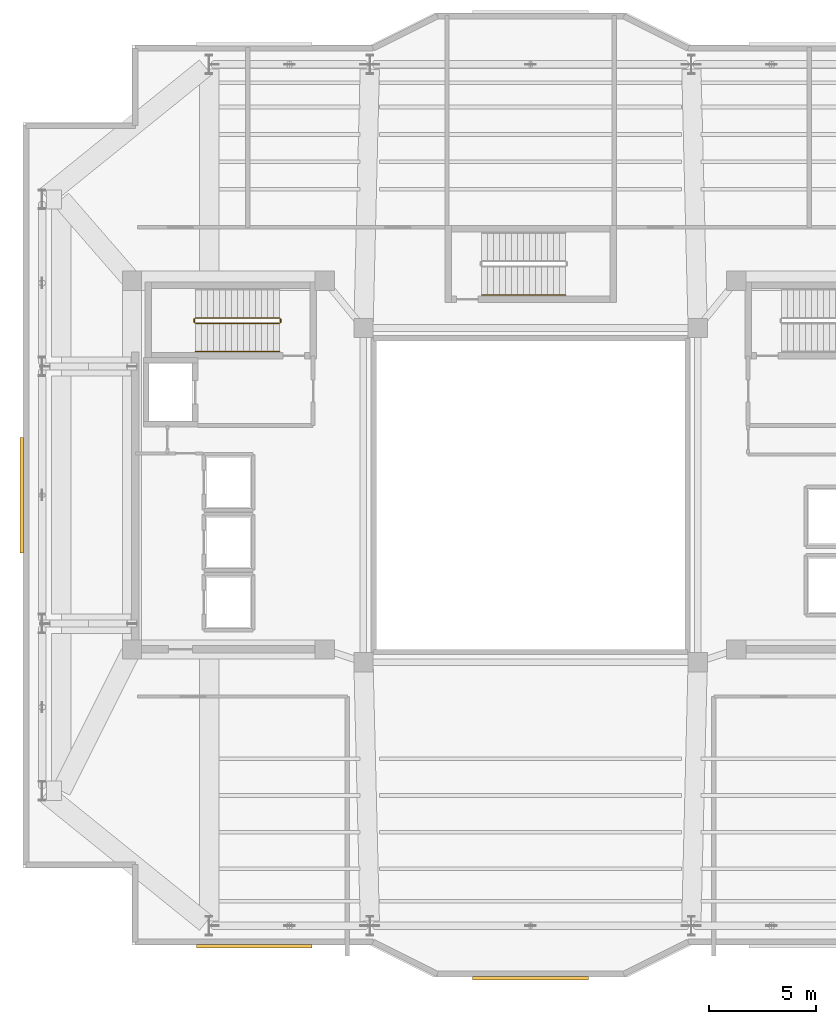
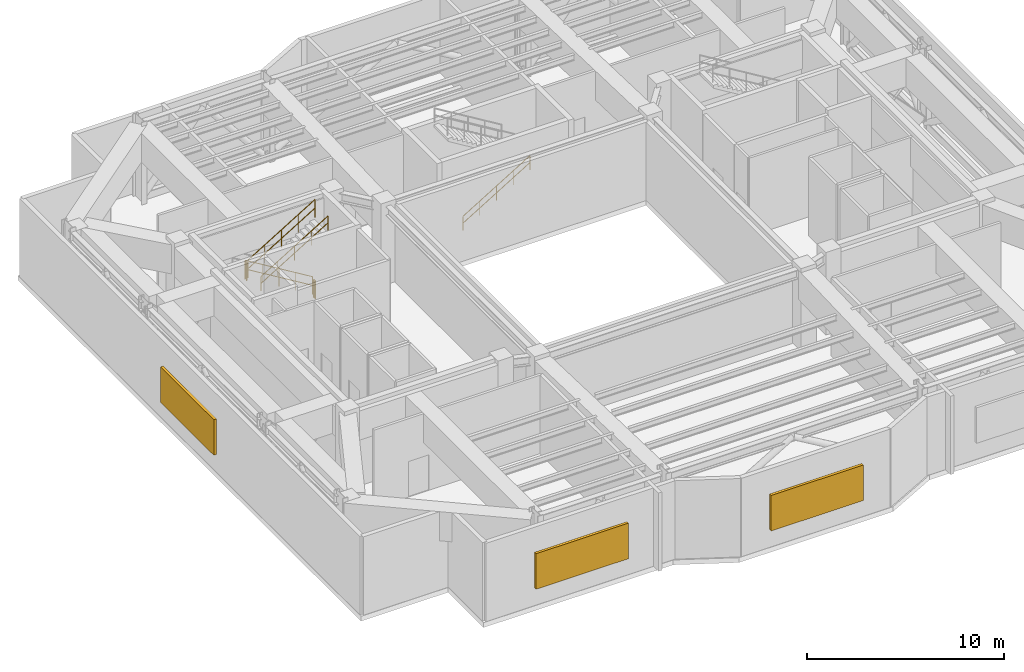
# One storey, part 11 of 13: 6 railings, 3 shading devices.
"""IFC4 building model written with IfcOpenShell, lengths in metres."""

from ifc_helpers import new_model, si_unit, direction, frame, origin, origin_2d, place, context, subcontext, project, spatial, rectangle, circle, extrude, material, layer, layer_set, type_object, element, save


model = new_model("IFC4")

# Units and contexts
model_context = context("Model", 3, precision=1e-05, world=origin(), true_north=direction((0.0, 1.0)))
body_context = subcontext(model_context, "Body", "Model", "MODEL_VIEW")
ifc_project = project(units=[si_unit("LENGTHUNIT", "METRE"), si_unit("AREAUNIT", "SQUARE_METRE"), si_unit("VOLUMEUNIT", "CUBIC_METRE"), si_unit("PLANEANGLEUNIT", "RADIAN"), si_unit("MASSUNIT", "GRAM", prefix="KILO")], contexts=[model_context])

# Site, building, storey
site_placement = place(None, origin())
site = spatial("IfcSite", under=ifc_project, at=site_placement, CompositionType="ELEMENT")
building_placement = place(site_placement, origin())
building = spatial("IfcBuilding", under=site, at=building_placement, Name="Tarnavaz Court Tower", CompositionType="ELEMENT")
storey_placement = place(building_placement, frame((0.0, 0.0, 236.39990234375)))
storey = spatial("IfcBuildingStorey", under=building, at=storey_placement, Name="L64", CompositionType="ELEMENT", Elevation=236.39990234375)

# Railings
ifc_material_1 = material(Name="Brushed Stainless Steel", Category="steel")
railing_type_1 = type_object("IfcRailingType", Name="RL-HANDRAIL-900", PredefinedType="HANDRAIL", material=ifc_material_1)
for number, where, name in (
    (1, (-15.639892578125, 6.699951171875, 2.72021484375), "L64 ST-W1 stair handrail 2"),
    (2, (-2.280029296875, 9.35009765625, 0.170166015625), "L64 ST-N1 stair handrail 1"),
):
    element("IfcRailing", number, at=place(storey_placement, frame(where)), inside=storey, type_object=railing_type_1, Name=name, PredefinedType="HANDRAIL", context=body_context, shape_type="SweptSolid", body=[
        extrude(circle(Radius=0.02392578125, at=origin_2d()), frame((0.0, 0.0, 0.8759765625), z_axis=(0.854794262968, 0.0, 0.518967020143), x_axis=(0.0, 1.0, 0.0)), (0.0, 0.0, 1.0), 4.585693359375),
        extrude(circle(Radius=0.02392578125, at=origin_2d()), frame((0.0, 0.0, 0.449951171875), z_axis=(0.854794262968, 0.0, 0.518967020143), x_axis=(0.0, 1.0, 0.0)), (0.0, 0.0, 1.0), 4.585693359375),
        extrude(circle(Radius=0.02099609375, at=origin_2d()), origin(), (0.0, 0.0, 1.0), 0.851806640625),
        extrude(circle(Radius=0.02099609375, at=origin_2d()), frame((0.97998046875, 0.0, 0.594970703125)), (0.0, 0.0, 1.0), 0.851806640625),
        extrude(circle(Radius=0.02099609375, at=origin_2d()), frame((1.9599609375, 0.0, 1.18994140625)), (0.0, 0.0, 1.0), 0.851806640625),
        extrude(circle(Radius=0.02099609375, at=origin_2d()), frame((2.93994140625, 0.0, 1.784912109375)), (0.0, 0.0, 1.0), 0.851806640625),
        extrude(circle(Radius=0.02099609375, at=origin_2d()), frame((3.919921875, 0.0, 2.3798828125)), (0.0, 0.0, 1.0), 0.851806640625),
    ])
ifc_material_2 = material(Name="Galvanized Painted Tubular Steel", Category="steel")
railing_type_2 = type_object("IfcRailingType", Name="RL-STGUARD-1120", PredefinedType="GUARDRAIL", material=ifc_material_2)
railing_1_placement = place(storey_placement, frame((-11.719970703125, 8.27001953125, 0.170166015625)))
element("IfcRailing", 3, at=railing_1_placement, inside=storey, type_object=railing_type_2, Name="L64 ST-W1 stair guard 1", PredefinedType="GUARDRAIL", context=body_context, shape_type="SweptSolid", body=[
    extrude(circle(Radius=0.02392578125, at=origin_2d()), frame((0.0, 0.0, 1.09619140625), z_axis=(-0.854794262968, 0.0, 0.518967020143), x_axis=(0.0, -1.0, 0.0)), (0.0, 0.0, 1.0), 4.585693359375),
    extrude(circle(Radius=0.02392578125, at=origin_2d()), frame((0.0, 0.0, 0.56005859375), z_axis=(-0.854794262968, 0.0, 0.518967020143), x_axis=(0.0, -1.0, 0.0)), (0.0, 0.0, 1.0), 4.585693359375),
    extrude(circle(Radius=0.02099609375, at=origin_2d()), origin(), (0.0, 0.0, 1.0), 1.072021484375),
    extrude(circle(Radius=0.02099609375, at=origin_2d()), frame((-0.97998046875, 0.0, 0.594970703125)), (0.0, 0.0, 1.0), 1.072021484375),
    extrude(circle(Radius=0.02099609375, at=origin_2d()), frame((-1.9599609375, 0.0, 1.18994140625)), (0.0, 0.0, 1.0), 1.072021484375),
    extrude(circle(Radius=0.02099609375, at=origin_2d()), frame((-2.93994140625, 0.0, 1.784912109375)), (0.0, 0.0, 1.0), 1.072021484375),
    extrude(circle(Radius=0.02099609375, at=origin_2d()), frame((-3.919921875, 0.0, 2.3798828125)), (0.0, 0.0, 1.0), 1.072021484375),
])
railing_2_placement = place(storey_placement, frame((-15.68994140625, 8.219970703125, 2.550048828125)))
element("IfcRailing", 4, at=railing_2_placement, inside=storey, type_object=railing_type_2, Name="L64 ST-W1 stair guard 2", PredefinedType="GUARDRAIL", context=body_context, shape_type="SweptSolid", body=[
    extrude(circle(Radius=0.02392578125, at=origin_2d()), frame((0.0, 0.0, 1.09619140625), z_axis=(0.0, -1.0, 0.0), x_axis=(1.0, 0.0, 0.0)), (0.0, 0.0, 1.0), 0.14990234375),
    extrude(circle(Radius=0.02392578125, at=origin_2d()), frame((0.0, 0.0, 0.56005859375), z_axis=(0.0, -1.0, 0.0), x_axis=(1.0, 0.0, 0.0)), (0.0, 0.0, 1.0), 0.14990234375),
    extrude(circle(Radius=0.02099609375, at=origin_2d()), origin(), (0.0, 0.0, 1.0), 1.072021484375),
    extrude(circle(Radius=0.02099609375, at=origin_2d()), frame((0.0, -0.14990234375, 0.0)), (0.0, 0.0, 1.0), 1.072021484375),
])
railing_3_placement = place(storey_placement, frame((-15.639892578125, 8.02001953125, 2.72021484375)))
element("IfcRailing", 5, at=railing_3_placement, inside=storey, type_object=railing_type_2, Name="L64 ST-W1 stair guard 3", PredefinedType="GUARDRAIL", context=body_context, shape_type="SweptSolid", body=[
    extrude(circle(Radius=0.02392578125, at=origin_2d()), frame((0.0, 0.0, 1.09619140625), z_axis=(0.854794262968, 0.0, 0.518967020143), x_axis=(0.0, 1.0, 0.0)), (0.0, 0.0, 1.0), 4.585693359375),
    extrude(circle(Radius=0.02392578125, at=origin_2d()), frame((0.0, 0.0, 0.56005859375), z_axis=(0.854794262968, 0.0, 0.518967020143), x_axis=(0.0, 1.0, 0.0)), (0.0, 0.0, 1.0), 4.585693359375),
    extrude(circle(Radius=0.02099609375, at=origin_2d()), origin(), (0.0, 0.0, 1.0), 1.072021484375),
    extrude(circle(Radius=0.02099609375, at=origin_2d()), frame((0.97998046875, 0.0, 0.594970703125)), (0.0, 0.0, 1.0), 1.072021484375),
    extrude(circle(Radius=0.02099609375, at=origin_2d()), frame((1.9599609375, 0.0, 1.18994140625)), (0.0, 0.0, 1.0), 1.072021484375),
    extrude(circle(Radius=0.02099609375, at=origin_2d()), frame((2.93994140625, 0.0, 1.784912109375)), (0.0, 0.0, 1.0), 1.072021484375),
    extrude(circle(Radius=0.02099609375, at=origin_2d()), frame((3.919921875, 0.0, 2.3798828125)), (0.0, 0.0, 1.0), 1.072021484375),
])
railing_4_placement = place(storey_placement, frame((-11.669921875, 8.219970703125, 0.0)))
element("IfcRailing", 6, at=railing_4_placement, inside=storey, type_object=railing_type_2, Name="L64 ST-W1 stair guard 4", PredefinedType="GUARDRAIL", context=body_context, shape_type="SweptSolid", body=[
    extrude(circle(Radius=0.02392578125, at=origin_2d()), frame((0.0, 0.0, 1.09619140625), z_axis=(0.0, -1.0, 0.0), x_axis=(1.0, 0.0, 0.0)), (0.0, 0.0, 1.0), 0.14990234375),
    extrude(circle(Radius=0.02392578125, at=origin_2d()), frame((0.0, 0.0, 0.56005859375), z_axis=(0.0, -1.0, 0.0), x_axis=(1.0, 0.0, 0.0)), (0.0, 0.0, 1.0), 0.14990234375),
    extrude(circle(Radius=0.02099609375, at=origin_2d()), origin(), (0.0, 0.0, 1.0), 1.072021484375),
    extrude(circle(Radius=0.02099609375, at=origin_2d()), frame((0.0, -0.14990234375, 0.0)), (0.0, 0.0, 1.0), 1.072021484375),
])

# Shading devices
ifc_material_3 = material(Name="Anodised Aluminium 6063-T6 Acoustic Louvre", Category="aluminium")
ifc_layer = layer(ifc_material_3, 0.159912109375)
ifc_layer_set = layer_set([ifc_layer], Name="Anodised Aluminium 6063-T6 Acoustic Louvre")
shading_device_type = type_object("IfcShadingDeviceType", Name="SD-LOUV-200", PredefinedType="JALOUSIE", material=ifc_layer_set)
for number, where, z_axis, x_axis, name in (
    (7, (-23.75, 0.0, 1.10009765625), (0.0, 0.0, 1.0), (0.0, 1.0, 0.0), "L64 Plant Sand-Trap Acoustic Louvre 02"),
    (8, (0.0, -22.550048828125, 1.10009765625), (0.0, 0.0, 1.0), (-1.0, 0.0, 0.0), "L64 Plant Sand-Trap Acoustic Louvre 17"),
    (9, (-12.89990234375, -21.050048828125, 1.10009765625), (0.0, 0.0, 1.0), (-1.0, 0.0, 0.0), "L64 Plant Sand-Trap Acoustic Louvre 19"),
):
    element("IfcShadingDevice", number, at=place(storey_placement, frame(where, z_axis=z_axis, x_axis=x_axis)), inside=storey, type_object=shading_device_type, Name=name, PredefinedType="JALOUSIE", context=body_context, shape_type="SweptSolid", body=[
        extrude(rectangle(XDim=5.39990234375, YDim=0.159912109375, at=origin_2d()), origin(), (0.0, 0.0, 1.0), 2.199951171875),
    ])

save(model, "model.ifc")
